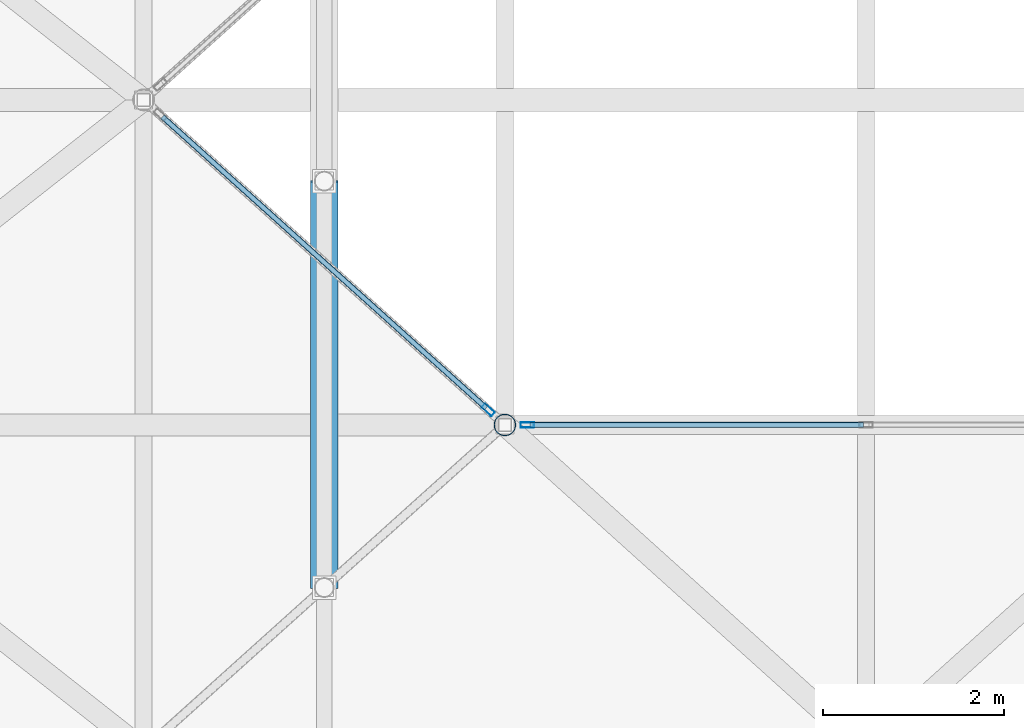
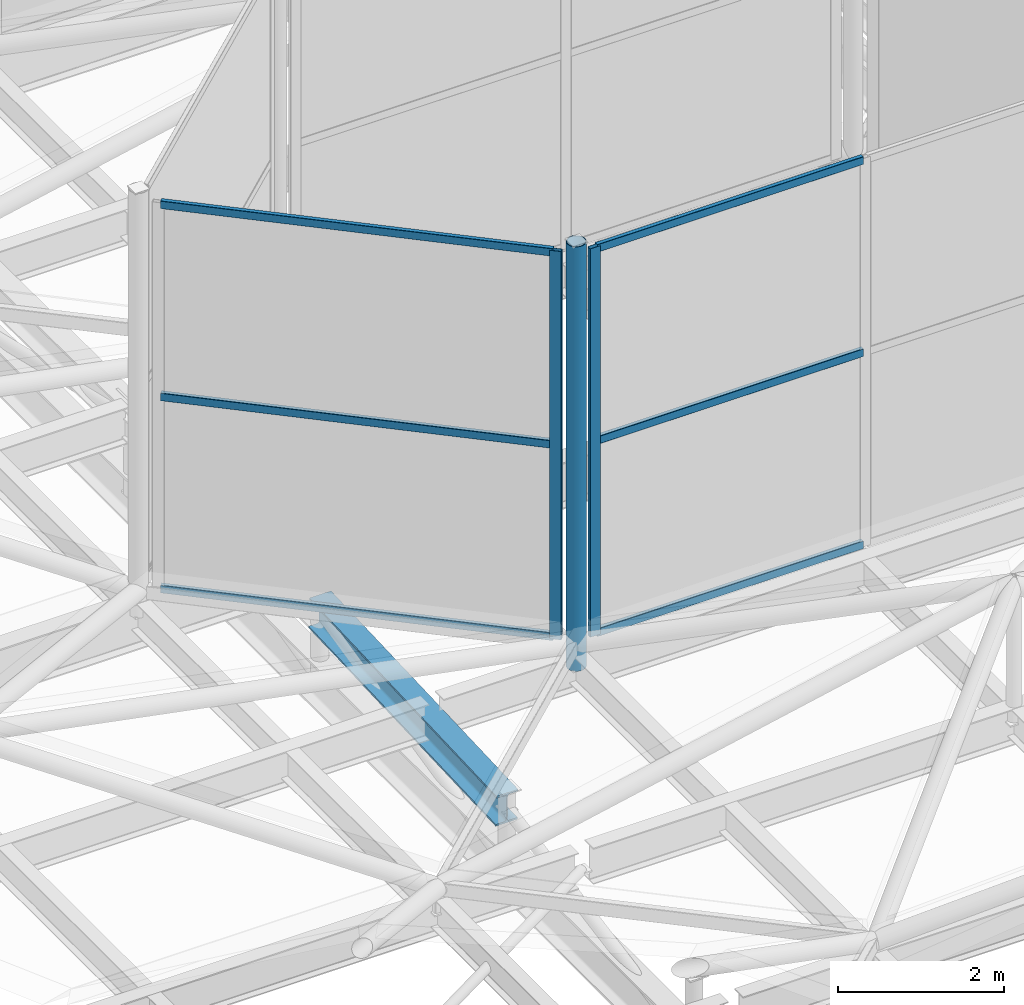
# One storey, part 12 of 239: 9 members, 1 beam, 2 elements without a shape of their own.
"""IFC4 building model written with IfcOpenShell, lengths in metres."""

import ifcopenshell
import ifcopenshell.guid

model = None  # the IFC model being written
_history = None  # IfcOwnerHistory: only IFC2X3 demands one
_inside = {}  # id of a spatial element -> (the spatial element, [elements in it])
_under = {}  # id of a project, library or spatial element -> (it, [spatial elements below it])
_declared = {}  # id of a project -> (the project, [libraries it declares])
_typed = {}  # id of a type object -> (the type object, [elements of that type])
_made_of = {}  # id of a material, layer set ... -> (it, [elements and type objects made of it])


def new_model(schema):
    """Start an empty IFC model of exactly this schema.

    Asked for "IFC4X3", IfcOpenShell would pick the latest addendum, in which some entities
    have other attributes; the version numbers below select the first issue.
    IFC2X3 requires an IfcOwnerHistory on every rooted entity: one is made here for all.
    """
    global model, _history
    if schema == "IFC4X3":
        model = ifcopenshell.file(schema_version=(4, 3, 0, 0))
    else:
        model = ifcopenshell.file(schema=schema)
    _inside.clear()
    _under.clear()
    _declared.clear()
    _typed.clear()
    _made_of.clear()
    _history = None
    if model.schema == "IFC2X3":
        org = make("IfcOrganization", Name="unknown")
        user = make(
            "IfcPersonAndOrganization",
            ThePerson=make("IfcPerson", FamilyName="unknown"),
            TheOrganization=org,
        )
        app = make(
            "IfcApplication",
            ApplicationDeveloper=org,
            Version="unknown",
            ApplicationFullName="unknown",
            ApplicationIdentifier="unknown",
        )
        _history = make(
            "IfcOwnerHistory",
            OwningUser=user,
            OwningApplication=app,
            ChangeAction="ADDED",
            CreationDate=0,
        )
    return model


def make(cls, **values):
    """One entity of the class cls with the attributes given. An attribute that is None is left unset."""
    return model.create_entity(
        cls, **{name: value for name, value in values.items() if value is not None}
    )


def rooted(cls, **values):
    """An entity with a GlobalId (a new one), such as an element, a storey or a relation."""
    return make(cls, GlobalId=ifcopenshell.guid.new(), OwnerHistory=_history, **values)


def si_unit(unit_type, name, prefix=None):
    """IfcSIUnit, for example si_unit("LENGTHUNIT", "METRE", prefix="MILLI")."""
    return make("IfcSIUnit", UnitType=unit_type, Prefix=prefix, Name=name)


def assignment(units):
    """IfcUnitAssignment: the units of a project."""
    return None if units is None else make("IfcUnitAssignment", Units=units)


def point(xyz):
    """IfcCartesianPoint."""
    return None if xyz is None else make("IfcCartesianPoint", Coordinates=xyz)


def direction(xyz):
    """IfcDirection."""
    return None if xyz is None else make("IfcDirection", DirectionRatios=xyz)


def frame(location, z_axis=None, x_axis=None):
    """IfcAxis2Placement3D, a coordinate frame: its origin and axes. An axis left out is left unset."""
    return make(
        "IfcAxis2Placement3D",
        Location=point(location),
        Axis=direction(z_axis),
        RefDirection=direction(x_axis),
    )


def frame_2d(location, x_axis=None):
    """IfcAxis2Placement2D, a coordinate frame in the plane: its origin and x axis."""
    return make(
        "IfcAxis2Placement2D", Location=point(location), RefDirection=direction(x_axis)
    )


def origin():
    """The frame at (0, 0, 0) with its axes left unset."""
    return frame((0.0, 0.0, 0.0))


def origin_2d():
    """The frame at (0, 0) in the plane with its x axis left unset."""
    return frame_2d((0.0, 0.0))


def place(relative_to, where):
    """IfcLocalPlacement: puts the frame where relative to a parent placement (None: the world)."""
    return make(
        "IfcLocalPlacement", PlacementRelTo=relative_to, RelativePlacement=where
    )


def context(
    kind, dimensions, precision=None, world=None, true_north=None, identifier=None
):
    """IfcGeometricRepresentationContext, for example the 3D "Model" context."""
    return make(
        "IfcGeometricRepresentationContext",
        ContextIdentifier=identifier,
        ContextType=kind,
        CoordinateSpaceDimension=dimensions,
        Precision=precision,
        WorldCoordinateSystem=world,
        TrueNorth=true_north,
    )


def subcontext(parent, identifier, kind, view, scale=None):
    """IfcGeometricRepresentationSubContext, for example "Body" below "Model"."""
    return make(
        "IfcGeometricRepresentationSubContext",
        ContextIdentifier=identifier,
        ContextType=kind,
        ParentContext=parent,
        TargetScale=scale,
        TargetView=view,
    )


def project(units=None, contexts=None):
    """IfcProject with its units and contexts."""
    return rooted(
        "IfcProject",
        Name="project",
        RepresentationContexts=contexts,
        UnitsInContext=assignment(units),
    )


def spatial(cls, under=None, at=None, **own):
    """A site, building, storey or space (cls), placed at a placement, below another one or the project."""
    s = rooted(cls, ObjectPlacement=at, **own)
    if under is not None:
        _under.setdefault(under.id(), (under, []))[1].append(s)
    return s


def profile(cls, at=None, kind="AREA", **sizes):
    """A parametric profile (cls). Its sizes go by their IFC names, for example OverallWidth=200.0."""
    return make(cls, ProfileType=kind, Position=at, **sizes)


def hollow_rectangle(**sizes):
    """IfcRectangleHollowProfileDef."""
    return profile("IfcRectangleHollowProfileDef", **sizes)


def hollow_circle(**sizes):
    """IfcCircleHollowProfileDef."""
    return profile("IfcCircleHollowProfileDef", **sizes)


def i_section(**sizes):
    """IfcIShapeProfileDef."""
    return profile("IfcIShapeProfileDef", **sizes)


def extrude(swept, where, along, depth):
    """IfcExtrudedAreaSolid: the profile swept, set in the frame where, extruded along a direction by depth."""
    return make(
        "IfcExtrudedAreaSolid",
        SweptArea=swept,
        Position=where,
        ExtrudedDirection=direction(along),
        Depth=depth,
    )


def shape(context_of_items, identifier, shape_type, items):
    """IfcShapeRepresentation: the items that make up one representation, for example the "Body"."""
    return make(
        "IfcShapeRepresentation",
        ContextOfItems=context_of_items,
        RepresentationIdentifier=identifier,
        RepresentationType=shape_type,
        Items=items,
    )


def material(Name=None, Category=None):
    """IfcMaterial."""
    return make("IfcMaterial", Name=Name, Category=Category)


def layer(
    of_material, thickness, ventilated=None, Name=None, Category=None, Priority=None
):
    """IfcMaterialLayer: one layer of a wall or slab, of a material (None: an air gap)."""
    return make(
        "IfcMaterialLayer",
        Material=of_material,
        LayerThickness=thickness,
        IsVentilated=ventilated,
        Name=Name,
        Category=Category,
        Priority=Priority,
    )


def layer_set(layers, Name=None):
    """IfcMaterialLayerSet."""
    return make("IfcMaterialLayerSet", MaterialLayers=layers, LayerSetName=Name)


def material_profile(
    of_material, cross_section, Name=None, Category=None, Priority=None
):
    """IfcMaterialProfile: a cross section and its material."""
    return make(
        "IfcMaterialProfile",
        Name=Name,
        Material=of_material,
        Profile=cross_section,
        Priority=Priority,
        Category=Category,
    )


def profile_set(profiles, Name=None, composite=None):
    """IfcMaterialProfileSet."""
    return make(
        "IfcMaterialProfileSet",
        Name=Name,
        MaterialProfiles=profiles,
        CompositeProfile=composite,
    )


def made_of(thing, what):
    """Note that an element or type object is made of a material, layer set ...; save() writes the relation."""
    if what is not None:
        _made_of.setdefault(what.id(), (what, []))[1].append(thing)
    return thing


def type_object(cls, material=None, **own):
    """A type object (cls), such as IfcWallType, which elements share."""
    return made_of(rooted(cls, **own), material)


def element(
    cls,
    number,
    at=None,
    inside=None,
    cuts=None,
    type_object=None,
    material=None,
    context=None,
    identifier="Body",
    shape_type=None,
    held_by="IfcProductDefinitionShape",
    body=None,
    shapes=None,
    **own,
):
    """One element of the class cls, such as IfcWall. Its Tag is "e" and its number.

    at: its placement. inside: the storey or other place that contains it. cuts: it is an
    opening in that element (IfcRelVoidsElement). A single representation is given by context,
    identifier, shape_type and body (its items); several are given by shapes. held_by: the class
    of the entity that holds the representations. save() writes the other relations.
    """
    e = rooted(cls, Tag="e%d" % number, ObjectPlacement=at, **own)
    if body is not None:
        shapes = [shape(context, identifier, shape_type, body)]
    if shapes is not None:
        e.Representation = make(held_by, Representations=shapes)
    if inside is not None:
        _inside.setdefault(inside.id(), (inside, []))[1].append(e)
    if cuts is not None:
        rooted(
            "IfcRelVoidsElement", RelatingBuildingElement=cuts, RelatedOpeningElement=e
        )
    if type_object is not None:
        _typed.setdefault(type_object.id(), (type_object, []))[1].append(e)
    return made_of(e, material)


def aggregate(whole, parts):
    """IfcRelAggregates: a whole, such as a stair, and the parts it consists of."""
    return rooted("IfcRelAggregates", RelatingObject=whole, RelatedObjects=parts)


def save(model, path):
    """Write the relations noted so far, then the file.

    IfcRelAggregates (storeys below a building ...), IfcRelContainedInSpatialStructure (elements
    in a storey), IfcRelDefinesByType, IfcRelAssociatesMaterial and IfcRelDeclares: one each for
    every whole, place, type object, material and project.
    """
    for whole, parts in _under.values():
        aggregate(whole, parts)
    for where, things in _inside.values():
        rooted(
            "IfcRelContainedInSpatialStructure",
            RelatedElements=things,
            RelatingStructure=where,
        )
    for kind, things in _typed.values():
        rooted("IfcRelDefinesByType", RelatedObjects=things, RelatingType=kind)
    for what, things in _made_of.values():
        rooted("IfcRelAssociatesMaterial", RelatedObjects=things, RelatingMaterial=what)
    for by, libraries in _declared.values():
        rooted("IfcRelDeclares", RelatingContext=by, RelatedDefinitions=libraries)
    model.write(path)


model = new_model("IFC4")

# Units and contexts
model_context = context("Model", 3, precision=1e-05, world=origin(), true_north=direction((0.0, 1.0)))
body_context = subcontext(model_context, "Body", "Model", "MODEL_VIEW")
ifc_project = project(units=[si_unit("LENGTHUNIT", "METRE"), si_unit("AREAUNIT", "SQUARE_METRE"), si_unit("VOLUMEUNIT", "CUBIC_METRE"), si_unit("PLANEANGLEUNIT", "RADIAN"), si_unit("MASSUNIT", "GRAM", prefix="KILO")], contexts=[model_context])

# Site, building, storey
site_placement = place(None, origin())
site = spatial("IfcSite", under=ifc_project, at=site_placement, CompositionType="ELEMENT")
building_placement = place(site_placement, origin())
building = spatial("IfcBuilding", under=site, at=building_placement, Name="Dunvalen Ferry Terminal", CompositionType="ELEMENT")
storey_placement = place(building_placement, frame((0.0, 0.0, 9.840087890625)))
storey = spatial("IfcBuildingStorey", under=building, at=storey_placement, Name="L02", CompositionType="ELEMENT", Elevation=9.840087890625)

# Curtain wall, member
ifc_material_1 = material(Name="Anodised marine aluminium and solar-control glazing", Category="aluminium")
ifc_layer_1 = layer(ifc_material_1, 0.179931640625, Name="Anodised marine aluminium and solar-control glazing")
ifc_layer_set_1 = layer_set([ifc_layer_1], Name="Anodised marine aluminium and solar-control glazing")
curtain_wall_type_1 = type_object("IfcCurtainWallType", Name="ENV-CW-SYS-05", PredefinedType="NOTDEFINED", material=ifc_layer_set_1)
curtain_wall_1_placement = place(storey_placement, origin())
curtain_wall_1 = element("IfcCurtainWall", 1, at=curtain_wall_1_placement, inside=storey, type_object=curtain_wall_type_1, Name="L02 Curtain Wall CW-HEX-14-SK-1", PredefinedType="NOTDEFINED")
ifc_material_2 = material(Name="Anodised marine aluminium EN AW-6063 T6", Category="aluminium")
ifc_material_profile_1 = material_profile(ifc_material_2, hollow_rectangle(XDim=0.06005859375, YDim=0.14990234375, WallThickness=0.00341796875, InnerFilletRadius=0.00341796875, OuterFilletRadius=0.007080078125, at=origin_2d()), Name="Anodised marine aluminium EN AW-6063 T6")
ifc_profile_set_1 = profile_set([ifc_material_profile_1], Name="Anodised marine aluminium EN AW-6063 T6")
member_type_1 = type_object("IfcMemberType", Name="ENV-CW-MUL-3", PredefinedType="MULLION", material=ifc_profile_set_1)
member_1_placement = place(storey_placement, frame((25.814208984375, 61.3671875, 1.139892578125), z_axis=(0.0, 0.0, 1.0), x_axis=(0.668953550894, 0.74330420875, 0.0)))
member_1 = element("IfcMember", 2, at=member_1_placement, type_object=member_type_1, Name="CW-05 mullion 2", PredefinedType="MULLION", context=body_context, shape_type="SweptSolid", body=[
    extrude(hollow_rectangle(XDim=0.06005859375, YDim=0.14990234375, WallThickness=0.00341796875, InnerFilletRadius=0.00341796875, OuterFilletRadius=0.007080078125, at=origin_2d()), origin(), (0.0, 0.0, 1.0), 5.699951171875),
])

ifc_layer_2 = layer(ifc_material_1, 0.179931640625, Name="Anodised marine aluminium and solar-control glazing")
ifc_layer_set_2 = layer_set([ifc_layer_2], Name="Anodised marine aluminium and solar-control glazing")
curtain_wall_type_2 = type_object("IfcCurtainWallType", Name="ENV-CW-SYS-06", PredefinedType="NOTDEFINED", material=ifc_layer_set_2)
curtain_wall_2_placement = place(storey_placement, origin())
curtain_wall_2 = element("IfcCurtainWall", 3, at=curtain_wall_2_placement, inside=storey, type_object=curtain_wall_type_2, Name="L02 Curtain Wall CW-HEX-14-SK-2", PredefinedType="NOTDEFINED")
member_2_placement = place(storey_placement, frame((26.25, 61.199951171875, 1.139892578125), z_axis=(0.0, 0.0, 1.0), x_axis=(0.0, 1.0, 0.0)))
member_2 = element("IfcMember", 4, at=member_2_placement, type_object=member_type_1, Name="CW-06 mullion 1", PredefinedType="MULLION", context=body_context, shape_type="SweptSolid", body=[
    extrude(hollow_rectangle(XDim=0.06005859375, YDim=0.14990234375, WallThickness=0.00341796875, InnerFilletRadius=0.00341796875, OuterFilletRadius=0.007080078125, at=origin_2d()), origin(), (0.0, 0.0, 1.0), 5.699951171875),
])

# Member
ifc_material_profile_2 = material_profile(ifc_material_2, hollow_rectangle(XDim=0.06005859375, YDim=0.114990234375, WallThickness=0.0029296875, InnerFilletRadius=0.0029296875, OuterFilletRadius=0.006103515625, at=origin_2d()), Name="Anodised marine aluminium EN AW-6063 T6")
ifc_profile_set_2 = profile_set([ifc_material_profile_2], Name="Anodised marine aluminium EN AW-6063 T6")
member_type_2 = type_object("IfcMemberType", Name="ENV-CW-TRN-3", PredefinedType="USERDEFINED", material=ifc_profile_set_2)
member_3_placement = place(storey_placement, frame((22.2080078125, 64.612548828125, 1.169921875), z_axis=(0.743344500928, -0.668908777742, 0.0), x_axis=(0.668908777742, 0.743344500928, 0.0)))
member_3 = element("IfcMember", 5, at=member_3_placement, type_object=member_type_2, Name="CW-05 transom 1.1", ObjectType="TRANSOM", PredefinedType="USERDEFINED", context=body_context, shape_type="SweptSolid", body=[
    extrude(hollow_rectangle(XDim=0.06005859375, YDim=0.114990234375, WallThickness=0.0029296875, InnerFilletRadius=0.0029296875, OuterFilletRadius=0.006103515625, at=origin_2d()), origin(), (0.0, 0.0, 1.0), 4.821533203125),
])

member_4_placement = place(storey_placement, frame((22.2080078125, 64.612548828125, 3.989990234375), z_axis=(0.743344500928, -0.668908777742, 0.0), x_axis=(0.668908777742, 0.743344500928, 0.0)))
member_4 = element("IfcMember", 6, at=member_4_placement, type_object=member_type_2, Name="CW-05 transom 1.2", ObjectType="TRANSOM", PredefinedType="USERDEFINED", context=body_context, shape_type="SweptSolid", body=[
    extrude(hollow_rectangle(XDim=0.06005859375, YDim=0.114990234375, WallThickness=0.0029296875, InnerFilletRadius=0.0029296875, OuterFilletRadius=0.006103515625, at=origin_2d()), origin(), (0.0, 0.0, 1.0), 4.821533203125),
])

member_5_placement = place(storey_placement, frame((22.2080078125, 64.612548828125, 6.809814453125), z_axis=(0.743344500928, -0.668908777742, 0.0), x_axis=(0.668908777742, 0.743344500928, 0.0)))
member_5 = element("IfcMember", 7, at=member_5_placement, type_object=member_type_2, Name="CW-05 transom 1.3", ObjectType="TRANSOM", PredefinedType="USERDEFINED", context=body_context, shape_type="SweptSolid", body=[
    extrude(hollow_rectangle(XDim=0.06005859375, YDim=0.114990234375, WallThickness=0.0029296875, InnerFilletRadius=0.0029296875, OuterFilletRadius=0.006103515625, at=origin_2d()), origin(), (0.0, 0.0, 1.0), 4.821533203125),
])

aggregate(curtain_wall_1, [member_1, member_3, member_4, member_5])

member_6_placement = place(storey_placement, frame((26.280029296875, 61.199951171875, 1.169921875), z_axis=(1.0, 0.0, 0.0), x_axis=(0.0, 1.0, 0.0)))
member_6 = element("IfcMember", 8, at=member_6_placement, type_object=member_type_2, Name="CW-06 transom 1.1", ObjectType="TRANSOM", PredefinedType="USERDEFINED", context=body_context, shape_type="SweptSolid", body=[
    extrude(hollow_rectangle(XDim=0.06005859375, YDim=0.114990234375, WallThickness=0.0029296875, InnerFilletRadius=0.0029296875, OuterFilletRadius=0.006103515625, at=origin_2d()), origin(), (0.0, 0.0, 1.0), 3.68994140625),
])

member_7_placement = place(storey_placement, frame((26.280029296875, 61.199951171875, 3.989990234375), z_axis=(1.0, 0.0, 0.0), x_axis=(0.0, 1.0, 0.0)))
member_7 = element("IfcMember", 9, at=member_7_placement, type_object=member_type_2, Name="CW-06 transom 1.2", ObjectType="TRANSOM", PredefinedType="USERDEFINED", context=body_context, shape_type="SweptSolid", body=[
    extrude(hollow_rectangle(XDim=0.06005859375, YDim=0.114990234375, WallThickness=0.0029296875, InnerFilletRadius=0.0029296875, OuterFilletRadius=0.006103515625, at=origin_2d()), origin(), (0.0, 0.0, 1.0), 3.68994140625),
])

member_8_placement = place(storey_placement, frame((26.280029296875, 61.199951171875, 6.809814453125), z_axis=(1.0, 0.0, 0.0), x_axis=(0.0, 1.0, 0.0)))
member_8 = element("IfcMember", 10, at=member_8_placement, type_object=member_type_2, Name="CW-06 transom 1.3", ObjectType="TRANSOM", PredefinedType="USERDEFINED", context=body_context, shape_type="SweptSolid", body=[
    extrude(hollow_rectangle(XDim=0.06005859375, YDim=0.114990234375, WallThickness=0.0029296875, InnerFilletRadius=0.0029296875, OuterFilletRadius=0.006103515625, at=origin_2d()), origin(), (0.0, 0.0, 1.0), 3.68994140625),
])

aggregate(curtain_wall_2, [member_2, member_6, member_7, member_8])

# Beam
ifc_material_3 = material(Name="Steel S355", Category="steel")
ifc_material_profile_3 = material_profile(ifc_material_3, i_section(OverallWidth=0.300048828125, OverallDepth=0.449951171875, WebThickness=0.013916015625, FlangeThickness=0.02587890625, FilletRadius=0.027099609375, at=origin_2d()), Name="Steel S355")
ifc_profile_set_3 = profile_set([ifc_material_profile_3], Name="Steel S355")
beam_type = type_object("IfcBeamType", Name="STR-BM-HEB450", PredefinedType="BEAM", material=ifc_profile_set_3)
beam_placement = place(storey_placement, frame((24.0, 59.39990234375, 0.474853515625), z_axis=(0.0, 0.999166564808, 0.040818816368), x_axis=(-1.0, 0.0, 0.0)))
element("IfcBeam", 11, at=beam_placement, inside=storey, type_object=beam_type, Name="Departure Hall Tied-Arch Rib 02.3", PredefinedType="BEAM", context=body_context, shape_type="SweptSolid", body=[
    extrude(i_section(OverallWidth=0.300048828125, OverallDepth=0.449951171875, WebThickness=0.013916015625, FlangeThickness=0.02587890625, FilletRadius=0.027099609375, at=origin_2d()), origin(), (0.0, 0.0, 1.0), 4.503662109375),
])

# Member
ifc_material_profile_4 = material_profile(ifc_material_3, hollow_circle(Radius=0.122314453125, WallThickness=0.010009765625, at=origin_2d()), Name="Steel S355")
ifc_profile_set_4 = profile_set([ifc_material_profile_4], Name="Steel S355")
member_type_3 = type_object("IfcMemberType", Name="STR-MB-CHS244", PredefinedType="STRUT", material=ifc_profile_set_4)
member_9_placement = place(storey_placement, frame((26.0, 61.199951171875, 0.77001953125), z_axis=(0.0, 0.0, 1.0), x_axis=(1.0, 0.0, 0.0)))
element("IfcMember", 12, at=member_9_placement, inside=storey, type_object=member_type_3, Name="HEX-14 Skylight Lantern Corner Strut 2", PredefinedType="STRUT", context=body_context, shape_type="SweptSolid", body=[
    extrude(hollow_circle(Radius=0.122314453125, WallThickness=0.010009765625, at=origin_2d()), origin(), (0.0, 0.0, 1.0), 6.22998046875),
])

save(model, "model.ifc")
